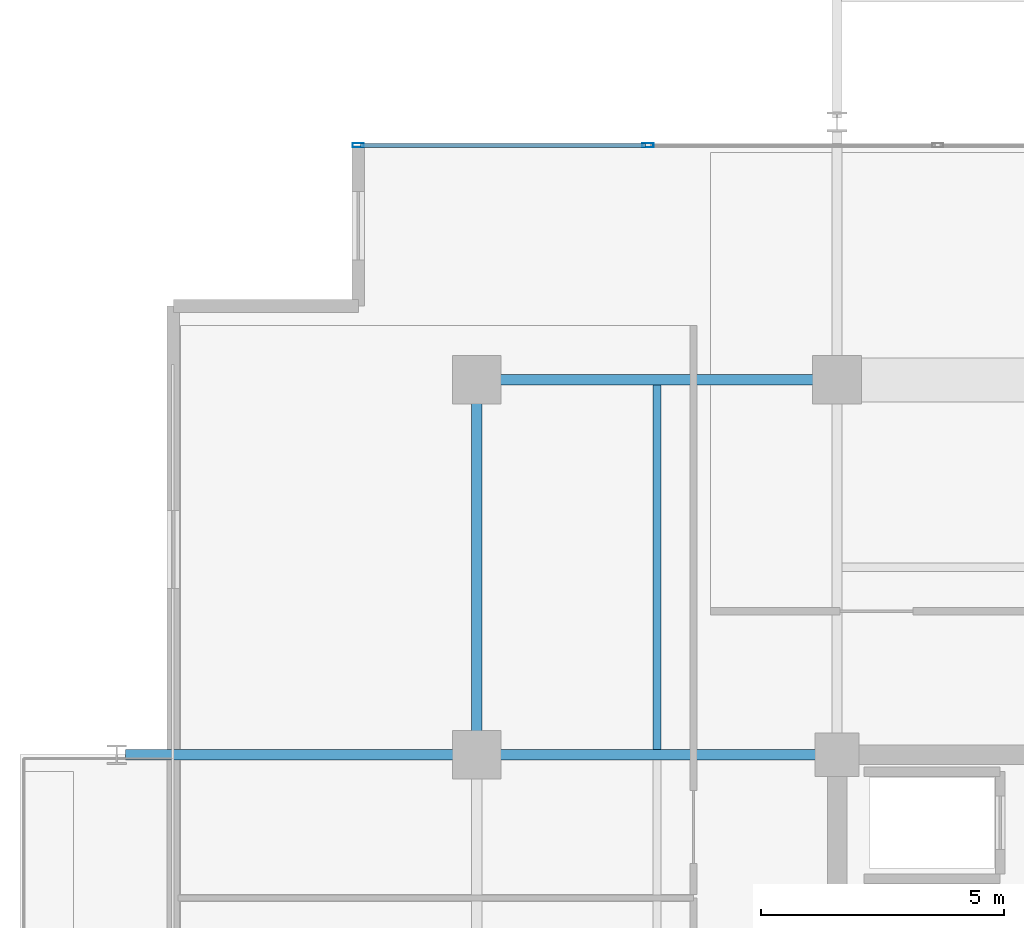
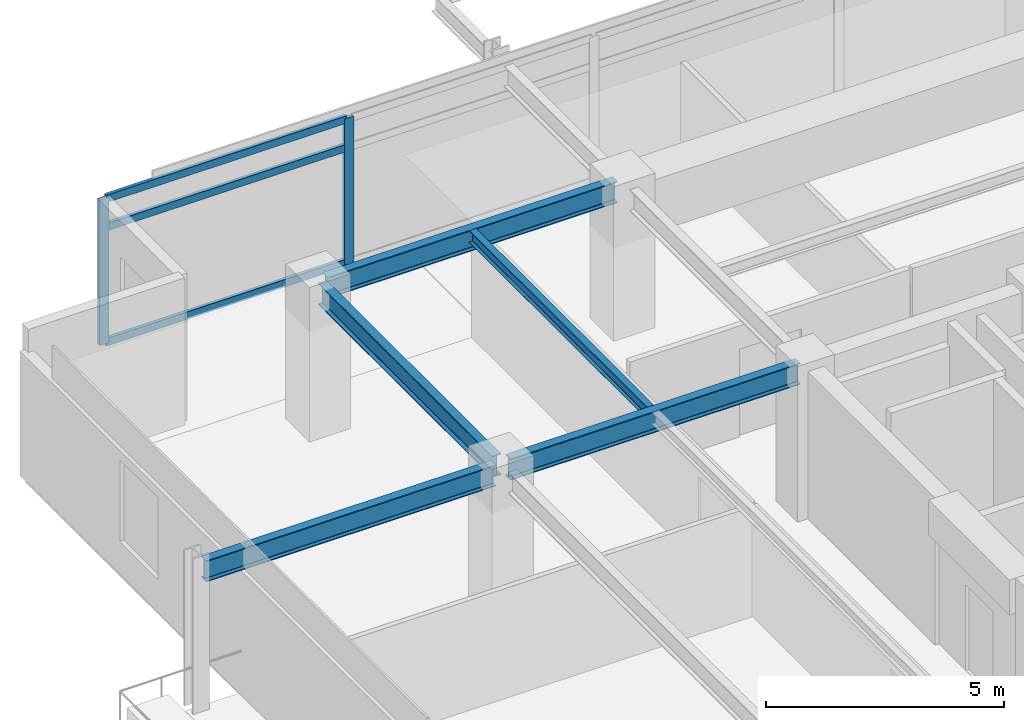
# One storey, part 5 of 21: 5 beams, 5 members, 1 element without a shape of its own.
"""IFC4 building model written with IfcOpenShell, lengths in metres."""

import ifcopenshell
import ifcopenshell.guid

model = None  # the IFC model being written
_history = None  # IfcOwnerHistory: only IFC2X3 demands one
_inside = {}  # id of a spatial element -> (the spatial element, [elements in it])
_under = {}  # id of a project, library or spatial element -> (it, [spatial elements below it])
_declared = {}  # id of a project -> (the project, [libraries it declares])
_typed = {}  # id of a type object -> (the type object, [elements of that type])
_made_of = {}  # id of a material, layer set ... -> (it, [elements and type objects made of it])


def new_model(schema):
    """Start an empty IFC model of exactly this schema.

    Asked for "IFC4X3", IfcOpenShell would pick the latest addendum, in which some entities
    have other attributes; the version numbers below select the first issue.
    IFC2X3 requires an IfcOwnerHistory on every rooted entity: one is made here for all.
    """
    global model, _history
    if schema == "IFC4X3":
        model = ifcopenshell.file(schema_version=(4, 3, 0, 0))
    else:
        model = ifcopenshell.file(schema=schema)
    _inside.clear()
    _under.clear()
    _declared.clear()
    _typed.clear()
    _made_of.clear()
    _history = None
    if model.schema == "IFC2X3":
        org = make("IfcOrganization", Name="unknown")
        user = make(
            "IfcPersonAndOrganization",
            ThePerson=make("IfcPerson", FamilyName="unknown"),
            TheOrganization=org,
        )
        app = make(
            "IfcApplication",
            ApplicationDeveloper=org,
            Version="unknown",
            ApplicationFullName="unknown",
            ApplicationIdentifier="unknown",
        )
        _history = make(
            "IfcOwnerHistory",
            OwningUser=user,
            OwningApplication=app,
            ChangeAction="ADDED",
            CreationDate=0,
        )
    return model


def make(cls, **values):
    """One entity of the class cls with the attributes given. An attribute that is None is left unset."""
    return model.create_entity(
        cls, **{name: value for name, value in values.items() if value is not None}
    )


def rooted(cls, **values):
    """An entity with a GlobalId (a new one), such as an element, a storey or a relation."""
    return make(cls, GlobalId=ifcopenshell.guid.new(), OwnerHistory=_history, **values)


def si_unit(unit_type, name, prefix=None):
    """IfcSIUnit, for example si_unit("LENGTHUNIT", "METRE", prefix="MILLI")."""
    return make("IfcSIUnit", UnitType=unit_type, Prefix=prefix, Name=name)


def assignment(units):
    """IfcUnitAssignment: the units of a project."""
    return None if units is None else make("IfcUnitAssignment", Units=units)


def point(xyz):
    """IfcCartesianPoint."""
    return None if xyz is None else make("IfcCartesianPoint", Coordinates=xyz)


def direction(xyz):
    """IfcDirection."""
    return None if xyz is None else make("IfcDirection", DirectionRatios=xyz)


def frame(location, z_axis=None, x_axis=None):
    """IfcAxis2Placement3D, a coordinate frame: its origin and axes. An axis left out is left unset."""
    return make(
        "IfcAxis2Placement3D",
        Location=point(location),
        Axis=direction(z_axis),
        RefDirection=direction(x_axis),
    )


def frame_2d(location, x_axis=None):
    """IfcAxis2Placement2D, a coordinate frame in the plane: its origin and x axis."""
    return make(
        "IfcAxis2Placement2D", Location=point(location), RefDirection=direction(x_axis)
    )


def origin():
    """The frame at (0, 0, 0) with its axes left unset."""
    return frame((0.0, 0.0, 0.0))


def origin_2d():
    """The frame at (0, 0) in the plane with its x axis left unset."""
    return frame_2d((0.0, 0.0))


def place(relative_to, where):
    """IfcLocalPlacement: puts the frame where relative to a parent placement (None: the world)."""
    return make(
        "IfcLocalPlacement", PlacementRelTo=relative_to, RelativePlacement=where
    )


def context(
    kind, dimensions, precision=None, world=None, true_north=None, identifier=None
):
    """IfcGeometricRepresentationContext, for example the 3D "Model" context."""
    return make(
        "IfcGeometricRepresentationContext",
        ContextIdentifier=identifier,
        ContextType=kind,
        CoordinateSpaceDimension=dimensions,
        Precision=precision,
        WorldCoordinateSystem=world,
        TrueNorth=true_north,
    )


def subcontext(parent, identifier, kind, view, scale=None):
    """IfcGeometricRepresentationSubContext, for example "Body" below "Model"."""
    return make(
        "IfcGeometricRepresentationSubContext",
        ContextIdentifier=identifier,
        ContextType=kind,
        ParentContext=parent,
        TargetScale=scale,
        TargetView=view,
    )


def project(units=None, contexts=None):
    """IfcProject with its units and contexts."""
    return rooted(
        "IfcProject",
        Name="project",
        RepresentationContexts=contexts,
        UnitsInContext=assignment(units),
    )


def spatial(cls, under=None, at=None, **own):
    """A site, building, storey or space (cls), placed at a placement, below another one or the project."""
    s = rooted(cls, ObjectPlacement=at, **own)
    if under is not None:
        _under.setdefault(under.id(), (under, []))[1].append(s)
    return s


def profile(cls, at=None, kind="AREA", **sizes):
    """A parametric profile (cls). Its sizes go by their IFC names, for example OverallWidth=200.0."""
    return make(cls, ProfileType=kind, Position=at, **sizes)


def hollow_rectangle(**sizes):
    """IfcRectangleHollowProfileDef."""
    return profile("IfcRectangleHollowProfileDef", **sizes)


def i_section(**sizes):
    """IfcIShapeProfileDef."""
    return profile("IfcIShapeProfileDef", **sizes)


def extrude(swept, where, along, depth):
    """IfcExtrudedAreaSolid: the profile swept, set in the frame where, extruded along a direction by depth."""
    return make(
        "IfcExtrudedAreaSolid",
        SweptArea=swept,
        Position=where,
        ExtrudedDirection=direction(along),
        Depth=depth,
    )


def shape(context_of_items, identifier, shape_type, items):
    """IfcShapeRepresentation: the items that make up one representation, for example the "Body"."""
    return make(
        "IfcShapeRepresentation",
        ContextOfItems=context_of_items,
        RepresentationIdentifier=identifier,
        RepresentationType=shape_type,
        Items=items,
    )


def material(Name=None, Category=None):
    """IfcMaterial."""
    return make("IfcMaterial", Name=Name, Category=Category)


def material_profile(
    of_material, cross_section, Name=None, Category=None, Priority=None
):
    """IfcMaterialProfile: a cross section and its material."""
    return make(
        "IfcMaterialProfile",
        Name=Name,
        Material=of_material,
        Profile=cross_section,
        Priority=Priority,
        Category=Category,
    )


def profile_set(profiles, Name=None, composite=None):
    """IfcMaterialProfileSet."""
    return make(
        "IfcMaterialProfileSet",
        Name=Name,
        MaterialProfiles=profiles,
        CompositeProfile=composite,
    )


def made_of(thing, what):
    """Note that an element or type object is made of a material, layer set ...; save() writes the relation."""
    if what is not None:
        _made_of.setdefault(what.id(), (what, []))[1].append(thing)
    return thing


def type_object(cls, material=None, **own):
    """A type object (cls), such as IfcWallType, which elements share."""
    return made_of(rooted(cls, **own), material)


def element(
    cls,
    number,
    at=None,
    inside=None,
    cuts=None,
    type_object=None,
    material=None,
    context=None,
    identifier="Body",
    shape_type=None,
    held_by="IfcProductDefinitionShape",
    body=None,
    shapes=None,
    **own,
):
    """One element of the class cls, such as IfcWall. Its Tag is "e" and its number.

    at: its placement. inside: the storey or other place that contains it. cuts: it is an
    opening in that element (IfcRelVoidsElement). A single representation is given by context,
    identifier, shape_type and body (its items); several are given by shapes. held_by: the class
    of the entity that holds the representations. save() writes the other relations.
    """
    e = rooted(cls, Tag="e%d" % number, ObjectPlacement=at, **own)
    if body is not None:
        shapes = [shape(context, identifier, shape_type, body)]
    if shapes is not None:
        e.Representation = make(held_by, Representations=shapes)
    if inside is not None:
        _inside.setdefault(inside.id(), (inside, []))[1].append(e)
    if cuts is not None:
        rooted(
            "IfcRelVoidsElement", RelatingBuildingElement=cuts, RelatedOpeningElement=e
        )
    if type_object is not None:
        _typed.setdefault(type_object.id(), (type_object, []))[1].append(e)
    return made_of(e, material)


def aggregate(whole, parts):
    """IfcRelAggregates: a whole, such as a stair, and the parts it consists of."""
    return rooted("IfcRelAggregates", RelatingObject=whole, RelatedObjects=parts)


def save(model, path):
    """Write the relations noted so far, then the file.

    IfcRelAggregates (storeys below a building ...), IfcRelContainedInSpatialStructure (elements
    in a storey), IfcRelDefinesByType, IfcRelAssociatesMaterial and IfcRelDeclares: one each for
    every whole, place, type object, material and project.
    """
    for whole, parts in _under.values():
        aggregate(whole, parts)
    for where, things in _inside.values():
        rooted(
            "IfcRelContainedInSpatialStructure",
            RelatedElements=things,
            RelatingStructure=where,
        )
    for kind, things in _typed.values():
        rooted("IfcRelDefinesByType", RelatedObjects=things, RelatingType=kind)
    for what, things in _made_of.values():
        rooted("IfcRelAssociatesMaterial", RelatedObjects=things, RelatingMaterial=what)
    for by, libraries in _declared.values():
        rooted("IfcRelDeclares", RelatingContext=by, RelatedDefinitions=libraries)
    model.write(path)


model = new_model("IFC4")

# Units and contexts
model_context = context("Model", 3, precision=1e-05, world=origin(), true_north=direction((0.0, 1.0)))
body_context = subcontext(model_context, "Body", "Model", "MODEL_VIEW")
ifc_project = project(units=[si_unit("LENGTHUNIT", "METRE"), si_unit("AREAUNIT", "SQUARE_METRE"), si_unit("VOLUMEUNIT", "CUBIC_METRE"), si_unit("PLANEANGLEUNIT", "RADIAN"), si_unit("MASSUNIT", "GRAM", prefix="KILO")], contexts=[model_context])

# Site, building, storey
site_placement = place(None, origin())
site = spatial("IfcSite", under=ifc_project, at=site_placement, CompositionType="ELEMENT")
building_placement = place(site_placement, origin())
building = spatial("IfcBuilding", under=site, at=building_placement, Name="Kovane Verandah Tower", CompositionType="ELEMENT")
storey_placement = place(building_placement, frame((0.0, 0.0, 314.800048828125)))
storey = spatial("IfcBuildingStorey", under=building, at=storey_placement, Name="L73", CompositionType="ELEMENT", Elevation=314.800048828125)

# Beams
ifc_material_1 = material(Name="Steel S355", Category="steel")
ifc_material_profile_1 = material_profile(ifc_material_1, i_section(OverallWidth=0.2119140625, OverallDepth=0.54443359375, WebThickness=0.0126953125, FlangeThickness=0.021240234375, FilletRadius=0.0126953125, at=origin_2d()), Name="UB533x210x122")
ifc_profile_set_1 = profile_set([ifc_material_profile_1], Name="Steel S355")
beam_type_1 = type_object("IfcBeamType", Name="BM-UB533x122", PredefinedType="BEAM", material=ifc_profile_set_1)
beam_1_placement = place(storey_placement, frame((21.780029296875, 44.199951171875, 3.5126953125), z_axis=(1.0, 0.0, 0.0), x_axis=(0.0, 1.0, 0.0)))
element("IfcBeam", 1, at=beam_1_placement, inside=storey, type_object=beam_type_1, Name="L73 Primary Tower Girder G-RN1", PredefinedType="BEAM", context=body_context, shape_type="SweptSolid", body=[
    extrude(i_section(OverallWidth=0.2119140625, OverallDepth=0.54443359375, WebThickness=0.0126953125, FlangeThickness=0.021240234375, FilletRadius=0.0126953125, at=origin_2d()), origin(), (0.0, 0.0, 1.0), 7.0400390625),
])
beam_2_placement = place(storey_placement, frame((21.60009765625, 36.679931640625, 3.5126953125), z_axis=(0.0, 1.0, 0.0), x_axis=(-1.0, 0.0, 0.0)))
element("IfcBeam", 2, at=beam_2_placement, inside=storey, type_object=beam_type_1, Name="L73 Primary Tower Girder G-RW3", PredefinedType="BEAM", context=body_context, shape_type="SweptSolid", body=[
    extrude(i_section(OverallWidth=0.2119140625, OverallDepth=0.54443359375, WebThickness=0.0126953125, FlangeThickness=0.021240234375, FilletRadius=0.0126953125, at=origin_2d()), origin(), (0.0, 0.0, 1.0), 7.340087890625),
])
for number, where, z_axis, x_axis, name in (
    (3, (28.820068359375, 36.5, 3.5126953125), (-1.0, 0.0, 0.0), (0.0, -1.0, 0.0), "L73 Primary Tower Girder G-W2"),
    (4, (21.419921875, 36.5, 3.48779296875), (-1.0, 0.0, 0.0), (0.0, -1.0, 0.0), "L73 Primary Tower Girder G-VW2"),
):
    element("IfcBeam", number, at=place(storey_placement, frame(where, z_axis=z_axis, x_axis=x_axis)), inside=storey, type_object=beam_type_1, Name=name, PredefinedType="BEAM", context=body_context, shape_type="SweptSolid", body=[
        extrude(i_section(OverallWidth=0.2119140625, OverallDepth=0.54443359375, WebThickness=0.0126953125, FlangeThickness=0.021240234375, FilletRadius=0.0126953125, at=origin_2d()), origin(), (0.0, 0.0, 1.0), 7.0400390625),
    ])

# Curtain wall, members
ifc_material_2 = material(Name="Champagne Anodised Aluminium Frame with Low-E Clear Laminated Glass", Category="aluminium")
curtain_wall_type = type_object("IfcCurtainWallType", Name="CW-SYS-05-HIGH", PredefinedType="NOTDEFINED", material=ifc_material_2)
curtain_wall_placement = place(storey_placement, origin())
curtain_wall = element("IfcCurtainWall", 5, at=curtain_wall_placement, inside=storey, type_object=curtain_wall_type, Name="L73 N Unitised Curtain Wall", PredefinedType="NOTDEFINED")
ifc_material_3 = material(Name="Champagne Anodised Aluminium 6063-T6", Category="aluminium")
ifc_material_profile_2 = material_profile(ifc_material_3, hollow_rectangle(XDim=0.0849609375, YDim=0.22998046875, WallThickness=0.00390625, at=origin_2d()), Name="AL85x230x4")
ifc_profile_set_2 = profile_set([ifc_material_profile_2], Name="Champagne Anodised Aluminium 6063-T6")
member_type_1 = type_object("IfcMemberType", Name="CW-MUL-85x230", PredefinedType="MULLION", material=ifc_profile_set_2)
member_1_placement = place(storey_placement, frame((25.116943359375, 49.018310546875, 0.02001953125), z_axis=(0.0, 0.0, 1.0), x_axis=(0.0, 1.0, 0.0)))
member_1 = element("IfcMember", 6, at=member_1_placement, type_object=member_type_1, Name="L73 N Unitised Curtain Wall Mullion 7", PredefinedType="MULLION", context=body_context, shape_type="SweptSolid", body=[
    extrude(hollow_rectangle(XDim=0.0849609375, YDim=0.22998046875, WallThickness=0.00390625, at=origin_2d()), origin(), (0.0, 0.0, 1.0), 3.744873046875),
])
member_2_placement = place(storey_placement, frame((19.16357421875, 49.018310546875, 0.02001953125), z_axis=(0.0, 0.0, 1.0), x_axis=(0.0, 1.0, 0.0)))
member_2 = element("IfcMember", 7, at=member_2_placement, type_object=member_type_1, Name="L73 N Unitised Curtain Wall Mullion 8", PredefinedType="MULLION", context=body_context, shape_type="SweptSolid", body=[
    extrude(hollow_rectangle(XDim=0.0849609375, YDim=0.22998046875, WallThickness=0.00390625, at=origin_2d()), origin(), (0.0, 0.0, 1.0), 3.744873046875),
])
ifc_material_profile_3 = material_profile(ifc_material_3, hollow_rectangle(XDim=0.0849609375, YDim=0.18994140625, WallThickness=0.00390625, at=origin_2d()), Name="AL85x190x4")
ifc_profile_set_3 = profile_set([ifc_material_profile_3], Name="Champagne Anodised Aluminium 6063-T6")
member_type_2 = type_object("IfcMemberType", Name="CW-TRN-85x190", PredefinedType="USERDEFINED", material=ifc_profile_set_3)
member_3_placement = place(storey_placement, frame((25.06689453125, 49.018310546875, 0.050048828125), z_axis=(-1.0, 0.0, 0.0), x_axis=(0.0, -1.0, 0.0)))
member_3 = element("IfcMember", 8, at=member_3_placement, type_object=member_type_2, Name="L73 N Unitised Curtain Wall Transom TB Bay 7", ObjectType="TRANSOM", PredefinedType="USERDEFINED", context=body_context, shape_type="SweptSolid", body=[
    extrude(hollow_rectangle(XDim=0.0849609375, YDim=0.18994140625, WallThickness=0.00390625, at=origin_2d()), origin(), (0.0, 0.0, 1.0), 5.853271484375),
])
member_4_placement = place(storey_placement, frame((25.06689453125, 49.018310546875, 3.0048828125), z_axis=(-1.0, 0.0, 0.0), x_axis=(0.0, -1.0, 0.0)))
member_4 = element("IfcMember", 9, at=member_4_placement, type_object=member_type_2, Name="L73 N Unitised Curtain Wall Transom TM Bay 7", ObjectType="TRANSOM", PredefinedType="USERDEFINED", context=body_context, shape_type="SweptSolid", body=[
    extrude(hollow_rectangle(XDim=0.0849609375, YDim=0.18994140625, WallThickness=0.00390625, at=origin_2d()), origin(), (0.0, 0.0, 1.0), 5.853271484375),
])
member_5_placement = place(storey_placement, frame((25.06689453125, 49.018310546875, 3.73486328125), z_axis=(-1.0, 0.0, 0.0), x_axis=(0.0, -1.0, 0.0)))
member_5 = element("IfcMember", 10, at=member_5_placement, type_object=member_type_2, Name="L73 N Unitised Curtain Wall Transom TT Bay 7", ObjectType="TRANSOM", PredefinedType="USERDEFINED", context=body_context, shape_type="SweptSolid", body=[
    extrude(hollow_rectangle(XDim=0.0849609375, YDim=0.18994140625, WallThickness=0.00390625, at=origin_2d()), origin(), (0.0, 0.0, 1.0), 5.853271484375),
])
aggregate(curtain_wall, [member_1, member_2, member_3, member_4, member_5])

# Beam
ifc_material_profile_4 = material_profile(ifc_material_1, i_section(OverallWidth=0.1669921875, OverallDepth=0.310302734375, WebThickness=0.0078125, FlangeThickness=0.013671875, FilletRadius=0.0087890625, at=origin_2d()), Name="UB305x165x54")
ifc_profile_set_4 = profile_set([ifc_material_profile_4], Name="Steel S355")
beam_type_2 = type_object("IfcBeamType", Name="JST-UB305x54", PredefinedType="JOIST", material=ifc_profile_set_4)
beam_3_placement = place(storey_placement, frame((25.300048828125, 36.60400390625, 3.629638671875), z_axis=(0.0, 1.0, 0.0), x_axis=(-1.0, 0.0, 0.0)))
element("IfcBeam", 11, at=beam_3_placement, inside=storey, type_object=beam_type_2, Name="L73 Secondary Composite Joist J-NW1", PredefinedType="JOIST", context=body_context, shape_type="SweptSolid", body=[
    extrude(i_section(OverallWidth=0.1669921875, OverallDepth=0.310302734375, WebThickness=0.0078125, FlangeThickness=0.013671875, FilletRadius=0.0087890625, at=origin_2d()), origin(), (0.0, 0.0, 1.0), 7.491943359375),
])

save(model, "model.ifc")
